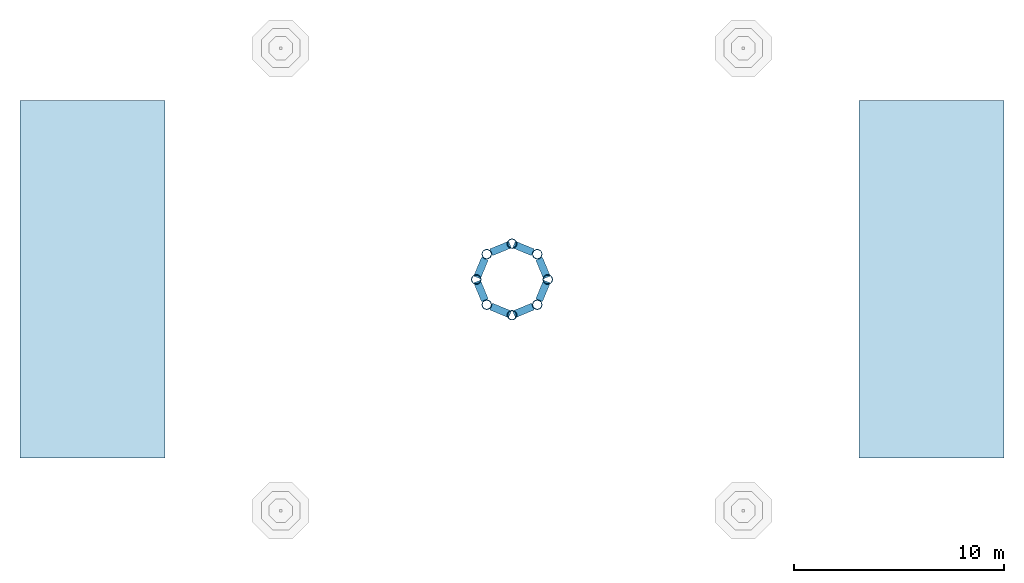
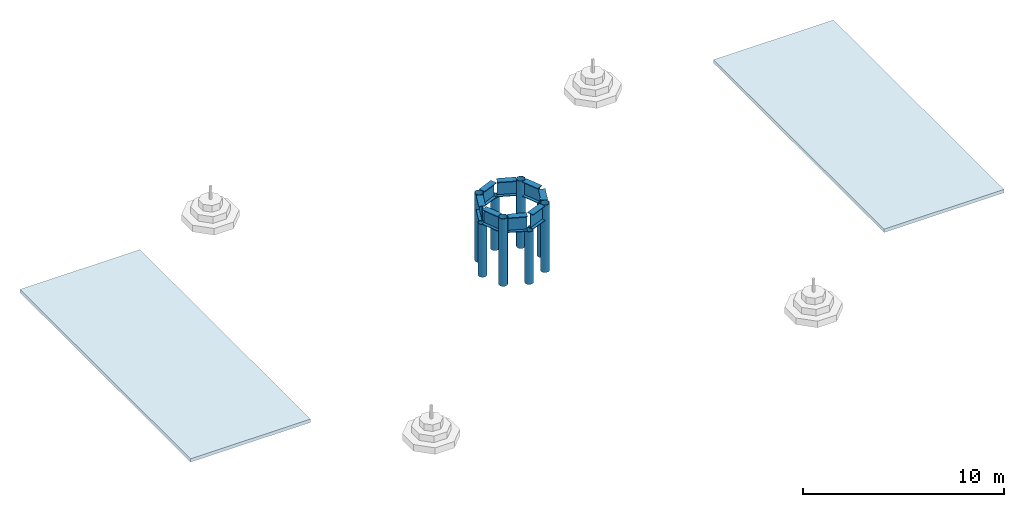
# One storey, part 1 of 2: 8 beams, 8 columns, 2 slabs.
"""IFC4 building model written with IfcOpenShell, lengths in metres."""

import ifcopenshell
import ifcopenshell.guid

model = None  # the IFC model being written
_history = None  # IfcOwnerHistory: only IFC2X3 demands one
_inside = {}  # id of a spatial element -> (the spatial element, [elements in it])
_under = {}  # id of a project, library or spatial element -> (it, [spatial elements below it])
_declared = {}  # id of a project -> (the project, [libraries it declares])
_typed = {}  # id of a type object -> (the type object, [elements of that type])
_made_of = {}  # id of a material, layer set ... -> (it, [elements and type objects made of it])


def new_model(schema):
    """Start an empty IFC model of exactly this schema.

    Asked for "IFC4X3", IfcOpenShell would pick the latest addendum, in which some entities
    have other attributes; the version numbers below select the first issue.
    IFC2X3 requires an IfcOwnerHistory on every rooted entity: one is made here for all.
    """
    global model, _history
    if schema == "IFC4X3":
        model = ifcopenshell.file(schema_version=(4, 3, 0, 0))
    else:
        model = ifcopenshell.file(schema=schema)
    _inside.clear()
    _under.clear()
    _declared.clear()
    _typed.clear()
    _made_of.clear()
    _history = None
    if model.schema == "IFC2X3":
        org = make("IfcOrganization", Name="unknown")
        user = make(
            "IfcPersonAndOrganization",
            ThePerson=make("IfcPerson", FamilyName="unknown"),
            TheOrganization=org,
        )
        app = make(
            "IfcApplication",
            ApplicationDeveloper=org,
            Version="unknown",
            ApplicationFullName="unknown",
            ApplicationIdentifier="unknown",
        )
        _history = make(
            "IfcOwnerHistory",
            OwningUser=user,
            OwningApplication=app,
            ChangeAction="ADDED",
            CreationDate=0,
        )
    return model


def make(cls, **values):
    """One entity of the class cls with the attributes given. An attribute that is None is left unset."""
    return model.create_entity(
        cls, **{name: value for name, value in values.items() if value is not None}
    )


def rooted(cls, **values):
    """An entity with a GlobalId (a new one), such as an element, a storey or a relation."""
    return make(cls, GlobalId=ifcopenshell.guid.new(), OwnerHistory=_history, **values)


def si_unit(unit_type, name, prefix=None):
    """IfcSIUnit, for example si_unit("LENGTHUNIT", "METRE", prefix="MILLI")."""
    return make("IfcSIUnit", UnitType=unit_type, Prefix=prefix, Name=name)


def assignment(units):
    """IfcUnitAssignment: the units of a project."""
    return None if units is None else make("IfcUnitAssignment", Units=units)


def point(xyz):
    """IfcCartesianPoint."""
    return None if xyz is None else make("IfcCartesianPoint", Coordinates=xyz)


def direction(xyz):
    """IfcDirection."""
    return None if xyz is None else make("IfcDirection", DirectionRatios=xyz)


def frame(location, z_axis=None, x_axis=None):
    """IfcAxis2Placement3D, a coordinate frame: its origin and axes. An axis left out is left unset."""
    return make(
        "IfcAxis2Placement3D",
        Location=point(location),
        Axis=direction(z_axis),
        RefDirection=direction(x_axis),
    )


def frame_2d(location, x_axis=None):
    """IfcAxis2Placement2D, a coordinate frame in the plane: its origin and x axis."""
    return make(
        "IfcAxis2Placement2D", Location=point(location), RefDirection=direction(x_axis)
    )


def origin():
    """The frame at (0, 0, 0) with its axes left unset."""
    return frame((0.0, 0.0, 0.0))


def origin_2d():
    """The frame at (0, 0) in the plane with its x axis left unset."""
    return frame_2d((0.0, 0.0))


def place(relative_to, where):
    """IfcLocalPlacement: puts the frame where relative to a parent placement (None: the world)."""
    return make(
        "IfcLocalPlacement", PlacementRelTo=relative_to, RelativePlacement=where
    )


def context(
    kind, dimensions, precision=None, world=None, true_north=None, identifier=None
):
    """IfcGeometricRepresentationContext, for example the 3D "Model" context."""
    return make(
        "IfcGeometricRepresentationContext",
        ContextIdentifier=identifier,
        ContextType=kind,
        CoordinateSpaceDimension=dimensions,
        Precision=precision,
        WorldCoordinateSystem=world,
        TrueNorth=true_north,
    )


def subcontext(parent, identifier, kind, view, scale=None):
    """IfcGeometricRepresentationSubContext, for example "Body" below "Model"."""
    return make(
        "IfcGeometricRepresentationSubContext",
        ContextIdentifier=identifier,
        ContextType=kind,
        ParentContext=parent,
        TargetScale=scale,
        TargetView=view,
    )


def project(units=None, contexts=None):
    """IfcProject with its units and contexts."""
    return rooted(
        "IfcProject",
        Name="project",
        RepresentationContexts=contexts,
        UnitsInContext=assignment(units),
    )


def spatial(cls, under=None, at=None, **own):
    """A site, building, storey or space (cls), placed at a placement, below another one or the project."""
    s = rooted(cls, ObjectPlacement=at, **own)
    if under is not None:
        _under.setdefault(under.id(), (under, []))[1].append(s)
    return s


def polyline(points):
    """IfcPolyline through the points."""
    return make("IfcPolyline", Points=[point(p) for p in points])


def profile(cls, at=None, kind="AREA", **sizes):
    """A parametric profile (cls). Its sizes go by their IFC names, for example OverallWidth=200.0."""
    return make(cls, ProfileType=kind, Position=at, **sizes)


def hollow_circle(**sizes):
    """IfcCircleHollowProfileDef."""
    return profile("IfcCircleHollowProfileDef", **sizes)


def i_section(**sizes):
    """IfcIShapeProfileDef."""
    return profile("IfcIShapeProfileDef", **sizes)


def outline(outer, holes=None, kind="AREA"):
    """IfcArbitraryClosedProfileDef: a profile drawn as a closed curve; with holes, ...WithVoids."""
    if holes is None:
        return make("IfcArbitraryClosedProfileDef", ProfileType=kind, OuterCurve=outer)
    return make(
        "IfcArbitraryProfileDefWithVoids",
        ProfileType=kind,
        OuterCurve=outer,
        InnerCurves=holes,
    )


def extrude(swept, where, along, depth):
    """IfcExtrudedAreaSolid: the profile swept, set in the frame where, extruded along a direction by depth."""
    return make(
        "IfcExtrudedAreaSolid",
        SweptArea=swept,
        Position=where,
        ExtrudedDirection=direction(along),
        Depth=depth,
    )


def shape(context_of_items, identifier, shape_type, items):
    """IfcShapeRepresentation: the items that make up one representation, for example the "Body"."""
    return make(
        "IfcShapeRepresentation",
        ContextOfItems=context_of_items,
        RepresentationIdentifier=identifier,
        RepresentationType=shape_type,
        Items=items,
    )


def material(Name=None, Category=None):
    """IfcMaterial."""
    return make("IfcMaterial", Name=Name, Category=Category)


def layer(
    of_material, thickness, ventilated=None, Name=None, Category=None, Priority=None
):
    """IfcMaterialLayer: one layer of a wall or slab, of a material (None: an air gap)."""
    return make(
        "IfcMaterialLayer",
        Material=of_material,
        LayerThickness=thickness,
        IsVentilated=ventilated,
        Name=Name,
        Category=Category,
        Priority=Priority,
    )


def layer_set(layers, Name=None):
    """IfcMaterialLayerSet."""
    return make("IfcMaterialLayerSet", MaterialLayers=layers, LayerSetName=Name)


def material_profile(
    of_material, cross_section, Name=None, Category=None, Priority=None
):
    """IfcMaterialProfile: a cross section and its material."""
    return make(
        "IfcMaterialProfile",
        Name=Name,
        Material=of_material,
        Profile=cross_section,
        Priority=Priority,
        Category=Category,
    )


def profile_set(profiles, Name=None, composite=None):
    """IfcMaterialProfileSet."""
    return make(
        "IfcMaterialProfileSet",
        Name=Name,
        MaterialProfiles=profiles,
        CompositeProfile=composite,
    )


def made_of(thing, what):
    """Note that an element or type object is made of a material, layer set ...; save() writes the relation."""
    if what is not None:
        _made_of.setdefault(what.id(), (what, []))[1].append(thing)
    return thing


def type_object(cls, material=None, **own):
    """A type object (cls), such as IfcWallType, which elements share."""
    return made_of(rooted(cls, **own), material)


def element(
    cls,
    number,
    at=None,
    inside=None,
    cuts=None,
    type_object=None,
    material=None,
    context=None,
    identifier="Body",
    shape_type=None,
    held_by="IfcProductDefinitionShape",
    body=None,
    shapes=None,
    **own,
):
    """One element of the class cls, such as IfcWall. Its Tag is "e" and its number.

    at: its placement. inside: the storey or other place that contains it. cuts: it is an
    opening in that element (IfcRelVoidsElement). A single representation is given by context,
    identifier, shape_type and body (its items); several are given by shapes. held_by: the class
    of the entity that holds the representations. save() writes the other relations.
    """
    e = rooted(cls, Tag="e%d" % number, ObjectPlacement=at, **own)
    if body is not None:
        shapes = [shape(context, identifier, shape_type, body)]
    if shapes is not None:
        e.Representation = make(held_by, Representations=shapes)
    if inside is not None:
        _inside.setdefault(inside.id(), (inside, []))[1].append(e)
    if cuts is not None:
        rooted(
            "IfcRelVoidsElement", RelatingBuildingElement=cuts, RelatedOpeningElement=e
        )
    if type_object is not None:
        _typed.setdefault(type_object.id(), (type_object, []))[1].append(e)
    return made_of(e, material)


def aggregate(whole, parts):
    """IfcRelAggregates: a whole, such as a stair, and the parts it consists of."""
    return rooted("IfcRelAggregates", RelatingObject=whole, RelatedObjects=parts)


def save(model, path):
    """Write the relations noted so far, then the file.

    IfcRelAggregates (storeys below a building ...), IfcRelContainedInSpatialStructure (elements
    in a storey), IfcRelDefinesByType, IfcRelAssociatesMaterial and IfcRelDeclares: one each for
    every whole, place, type object, material and project.
    """
    for whole, parts in _under.values():
        aggregate(whole, parts)
    for where, things in _inside.values():
        rooted(
            "IfcRelContainedInSpatialStructure",
            RelatedElements=things,
            RelatingStructure=where,
        )
    for kind, things in _typed.values():
        rooted("IfcRelDefinesByType", RelatedObjects=things, RelatingType=kind)
    for what, things in _made_of.values():
        rooted("IfcRelAssociatesMaterial", RelatedObjects=things, RelatingMaterial=what)
    for by, libraries in _declared.values():
        rooted("IfcRelDeclares", RelatingContext=by, RelatedDefinitions=libraries)
    model.write(path)


model = new_model("IFC4")

# Units and contexts
model_context = context("Model", 3, precision=1e-05, world=origin(), true_north=direction((0.0, 1.0)))
body_context = subcontext(model_context, "Body", "Model", "MODEL_VIEW")
ifc_project = project(units=[si_unit("LENGTHUNIT", "METRE"), si_unit("AREAUNIT", "SQUARE_METRE"), si_unit("VOLUMEUNIT", "CUBIC_METRE"), si_unit("PLANEANGLEUNIT", "RADIAN"), si_unit("MASSUNIT", "GRAM", prefix="KILO")], contexts=[model_context])

# Site, building, storey
site_placement = place(None, origin())
site = spatial("IfcSite", under=ifc_project, at=site_placement, CompositionType="ELEMENT")
building_placement = place(site_placement, origin())
building = spatial("IfcBuilding", under=site, at=building_placement, Name="Noorbagh Ring Tower", CompositionType="ELEMENT")
storey_placement = place(building_placement, frame((0.0, 0.0, 360.14990234375)))
storey = spatial("IfcBuildingStorey", under=building, at=storey_placement, Name="ROOF LEVEL", CompositionType="ELEMENT", Elevation=360.14990234375)

# Columns
ifc_material_1 = material(Name="Steel S460", Category="steel")
ifc_material_profile_1 = material_profile(ifc_material_1, hollow_circle(Radius=0.228515625, WallThickness=0.02001953125, at=origin_2d()), Name="CHS457x20")
ifc_profile_set_1 = profile_set([ifc_material_profile_1], Name="Steel S460")
column_type = type_object("IfcColumnType", Name="STR-DRUM-POST-CHS457x20-S460", PredefinedType="COLUMN", material=ifc_profile_set_1)
column_1_placement = place(storey_placement, frame((1.699951171875, 0.0, 0.0), z_axis=(0.0, 0.0, 1.0), x_axis=(1.0, 0.0, 0.0)))
element("IfcColumn", 1, at=column_1_placement, inside=storey, type_object=column_type, Name="Drum post", PredefinedType="COLUMN", context=body_context, shape_type="SweptSolid", body=[
    extrude(hollow_circle(Radius=0.228515625, WallThickness=0.02001953125, at=origin_2d()), origin(), (0.0, 0.0, 1.0), 3.2001953125),
])
column_2_placement = place(storey_placement, frame((1.2021484375, 1.2021484375, 0.0), z_axis=(0.0, 0.0, 1.0), x_axis=(1.0, 0.0, 0.0)))
element("IfcColumn", 2, at=column_2_placement, inside=storey, type_object=column_type, Name="Drum post", PredefinedType="COLUMN", context=body_context, shape_type="SweptSolid", body=[
    extrude(hollow_circle(Radius=0.228515625, WallThickness=0.02001953125, at=origin_2d()), origin(), (0.0, 0.0, 1.0), 4.10009765625),
])
column_3_placement = place(storey_placement, frame((0.0, 1.699951171875, 0.0), z_axis=(0.0, 0.0, 1.0), x_axis=(1.0, 0.0, 0.0)))
element("IfcColumn", 3, at=column_3_placement, inside=storey, type_object=column_type, Name="Drum post", PredefinedType="COLUMN", context=body_context, shape_type="SweptSolid", body=[
    extrude(hollow_circle(Radius=0.228515625, WallThickness=0.02001953125, at=origin_2d()), origin(), (0.0, 0.0, 1.0), 3.2001953125),
])
column_4_placement = place(storey_placement, frame((-1.2021484375, 1.2021484375, 0.0), z_axis=(0.0, 0.0, 1.0), x_axis=(1.0, 0.0, 0.0)))
element("IfcColumn", 4, at=column_4_placement, inside=storey, type_object=column_type, Name="Drum post", PredefinedType="COLUMN", context=body_context, shape_type="SweptSolid", body=[
    extrude(hollow_circle(Radius=0.228515625, WallThickness=0.02001953125, at=origin_2d()), origin(), (0.0, 0.0, 1.0), 4.10009765625),
])
column_5_placement = place(storey_placement, frame((-1.699951171875, 0.0, 0.0), z_axis=(0.0, 0.0, 1.0), x_axis=(1.0, 0.0, 0.0)))
element("IfcColumn", 5, at=column_5_placement, inside=storey, type_object=column_type, Name="Drum post", PredefinedType="COLUMN", context=body_context, shape_type="SweptSolid", body=[
    extrude(hollow_circle(Radius=0.228515625, WallThickness=0.02001953125, at=origin_2d()), origin(), (0.0, 0.0, 1.0), 3.2001953125),
])
column_6_placement = place(storey_placement, frame((-1.2021484375, -1.2021484375, 0.0), z_axis=(0.0, 0.0, 1.0), x_axis=(1.0, 0.0, 0.0)))
element("IfcColumn", 6, at=column_6_placement, inside=storey, type_object=column_type, Name="Drum post", PredefinedType="COLUMN", context=body_context, shape_type="SweptSolid", body=[
    extrude(hollow_circle(Radius=0.228515625, WallThickness=0.02001953125, at=origin_2d()), origin(), (0.0, 0.0, 1.0), 4.10009765625),
])
column_7_placement = place(storey_placement, frame((0.0, -1.699951171875, 0.0), z_axis=(0.0, 0.0, 1.0), x_axis=(1.0, 0.0, 0.0)))
element("IfcColumn", 7, at=column_7_placement, inside=storey, type_object=column_type, Name="Drum post", PredefinedType="COLUMN", context=body_context, shape_type="SweptSolid", body=[
    extrude(hollow_circle(Radius=0.228515625, WallThickness=0.02001953125, at=origin_2d()), origin(), (0.0, 0.0, 1.0), 3.2001953125),
])
column_8_placement = place(storey_placement, frame((1.2021484375, -1.2021484375, 0.0), z_axis=(0.0, 0.0, 1.0), x_axis=(1.0, 0.0, 0.0)))
element("IfcColumn", 8, at=column_8_placement, inside=storey, type_object=column_type, Name="Drum post", PredefinedType="COLUMN", context=body_context, shape_type="SweptSolid", body=[
    extrude(hollow_circle(Radius=0.228515625, WallThickness=0.02001953125, at=origin_2d()), origin(), (0.0, 0.0, 1.0), 4.10009765625),
])

# Beams
ifc_material_2 = material(Name="Steel S460", Category="steel")
ifc_material_profile_2 = material_profile(ifc_material_2, i_section(OverallWidth=0.35009765625, OverallDepth=0.89990234375, WebThickness=0.01806640625, FlangeThickness=0.031982421875, at=origin_2d()), Name="PG900x350x18x32")
ifc_profile_set_2 = profile_set([ifc_material_profile_2], Name="Steel S460")
beam_type = type_object("IfcBeamType", Name="STR-DRUM-RING-GIRDER-PG900x350x18x32-S460", PredefinedType="BEAM", material=ifc_profile_set_2)
for number, where, z_axis, x_axis, name in (
    (9, (1.66064453125, 0.094970703125, 3.650146484375), (-0.382648241093, 0.923894108428, 0.0), (-0.923894108428, -0.382648241093, 0.0), "Drum ring girder"),
    (10, (0.990966796875, 1.28955078125, 3.650146484375), (-0.923894108428, 0.382648241093, 0.0), (-0.382648241093, -0.923894108428, 0.0), "Drum ring girder"),
    (11, (-0.094970703125, 1.66064453125, 3.650146484375), (-0.923894108428, -0.382648241093, 0.0), (0.382648241093, -0.923894108428, 0.0), "Drum ring girder"),
    (12, (-1.28955078125, 0.990966796875, 3.650146484375), (-0.382648241093, -0.923894108428, 0.0), (0.923894108428, -0.382648241093, 0.0), "Drum ring girder"),
    (13, (-1.66064453125, -0.094970703125, 3.650146484375), (0.382648241093, -0.923894108428, 0.0), (0.923894108428, 0.382648241093, 0.0), "Drum ring girder"),
    (14, (-0.990966796875, -1.28955078125, 3.650146484375), (0.923894108428, -0.382648241093, 0.0), (0.382648241093, 0.923894108428, 0.0), "Drum ring girder"),
    (15, (0.094970703125, -1.66064453125, 3.650146484375), (0.923894108428, 0.382648241093, 0.0), (-0.382648241093, 0.923894108428, 0.0), "Drum ring girder"),
    (16, (1.28955078125, -0.990966796875, 3.650146484375), (0.382648241093, 0.923894108428, 0.0), (-0.923894108428, 0.382648241093, 0.0), "Drum ring girder"),
):
    element("IfcBeam", number, at=place(storey_placement, frame(where, z_axis=z_axis, x_axis=x_axis)), inside=storey, type_object=beam_type, Name=name, PredefinedType="BEAM", context=body_context, shape_type="SweptSolid", body=[
        extrude(i_section(OverallWidth=0.35009765625, OverallDepth=0.89990234375, WebThickness=0.01806640625, FlangeThickness=0.031982421875, at=origin_2d()), origin(), (0.0, 0.0, 1.0), 0.9697265625),
    ])

# Slabs
ifc_material_3 = material(Name="Concrete C50/60", Category="concrete")
ifc_layer = layer(ifc_material_3, 0.199951171875)
ifc_layer_set = layer_set([ifc_layer], Name="Concrete C50/60")
slab_type = type_object("IfcSlabType", Name="CORE-HEADHOUSE-ROOF", PredefinedType="ROOF", material=ifc_layer_set)
slab_1_placement = place(storey_placement, frame((0.0, 0.0, 1.35009765625)))
element("IfcSlab", 17, at=slab_1_placement, inside=storey, type_object=slab_type, Name="Stair head-house roof W", PredefinedType="ROOF", context=body_context, shape_type="SweptSolid", body=[
    extrude(outline(polyline([(-16.5, -8.5), (-23.39990234375, -8.5), (-23.39990234375, 8.5), (-16.5, 8.5), (-16.5, -8.5)])), origin(), (0.0, 0.0, 1.0), 0.199951171875),
])
slab_2_placement = place(storey_placement, frame((0.0, 0.0, 1.35009765625)))
element("IfcSlab", 18, at=slab_2_placement, inside=storey, type_object=slab_type, Name="Stair head-house roof E", PredefinedType="ROOF", context=body_context, shape_type="SweptSolid", body=[
    extrude(outline(polyline([(16.5, -8.5), (23.39990234375, -8.5), (23.39990234375, 8.5), (16.5, 8.5), (16.5, -8.5)])), origin(), (0.0, 0.0, 1.0), 0.199951171875),
])

save(model, "model.ifc")
